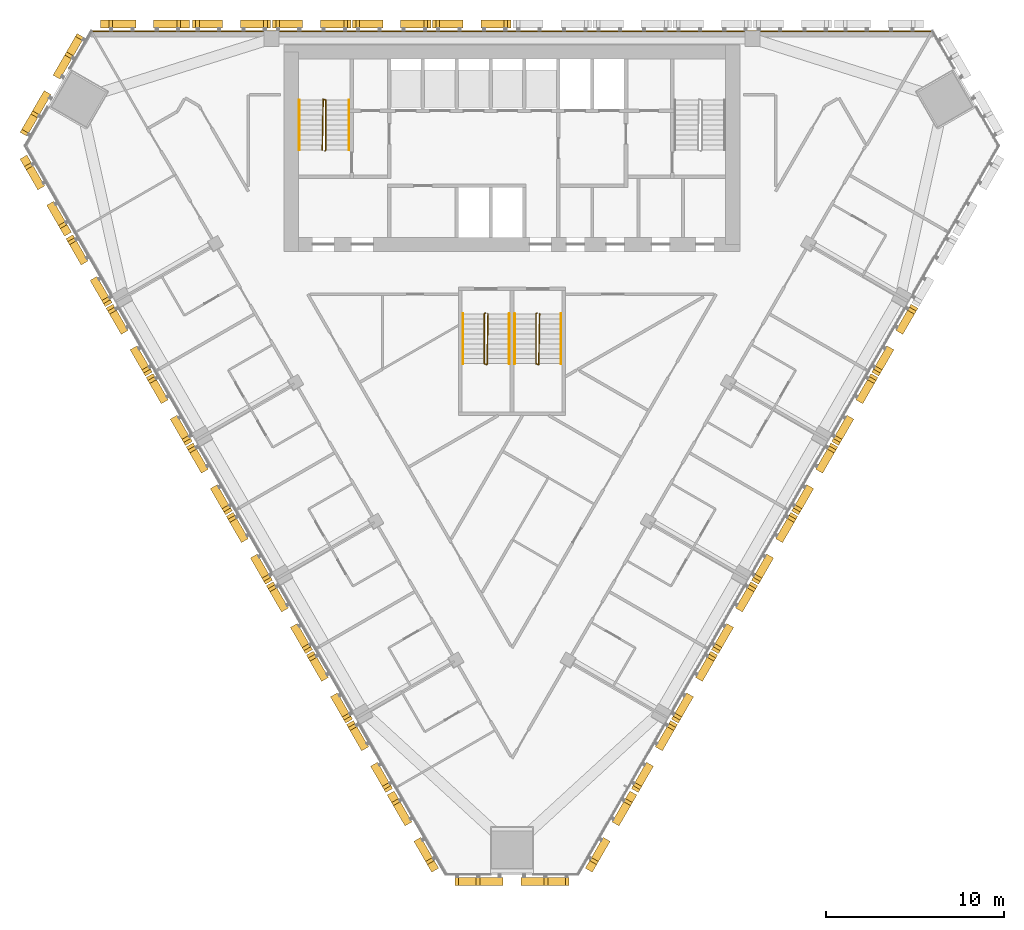
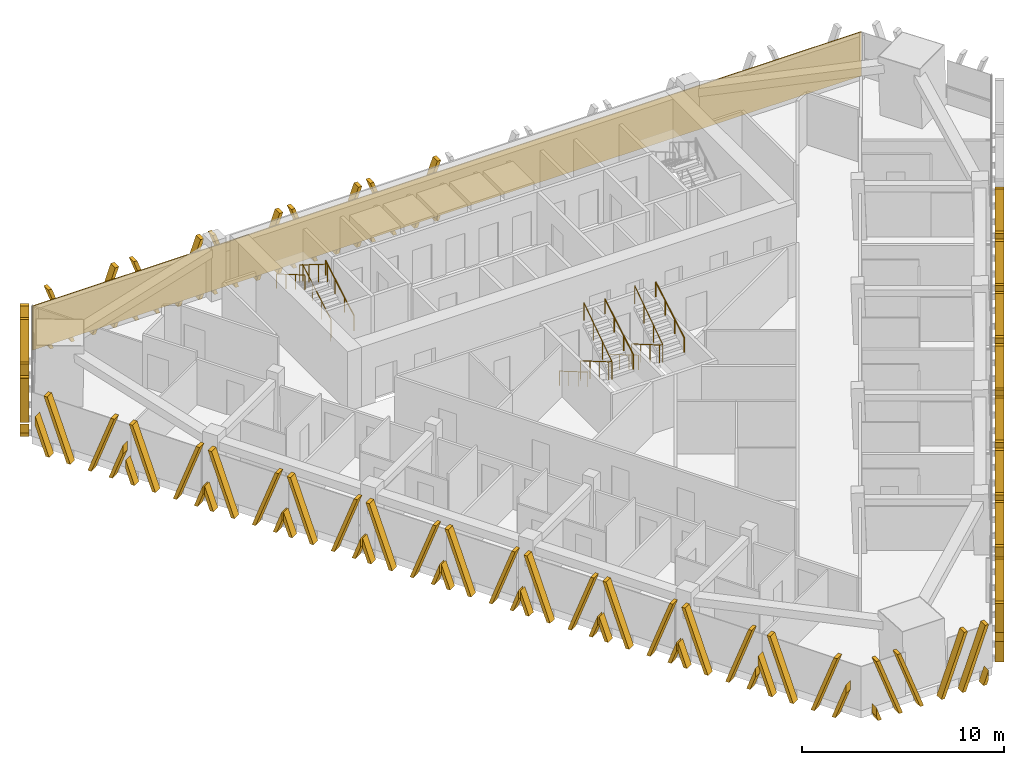
# One storey, part 14 of 16: 25 shading devices, 9 railings, 1 covering.
"""IFC4 building model written with IfcOpenShell, lengths in metres."""

from ifc_helpers import new_model, si_unit, direction, frame, frame_2d, origin, origin_2d, place, context, subcontext, project, spatial, polyline, rectangle, circle, outline, extrude, source, transform, mapped, material, layer, layer_set, type_object, element, save


model = new_model("IFC4")

# Units and contexts
model_context = context("Model", 3, precision=1e-05, world=origin(), true_north=direction((0.0, 1.0)))
body_context = subcontext(model_context, "Body", "Model", "MODEL_VIEW")
ifc_project = project(units=[si_unit("LENGTHUNIT", "METRE"), si_unit("AREAUNIT", "SQUARE_METRE"), si_unit("VOLUMEUNIT", "CUBIC_METRE"), si_unit("PLANEANGLEUNIT", "RADIAN"), si_unit("MASSUNIT", "GRAM", prefix="KILO")], contexts=[model_context])

# Site, building, storey
site_placement = place(None, origin())
site = spatial("IfcSite", under=ifc_project, at=site_placement, CompositionType="ELEMENT")
building_placement = place(site_placement, origin())
building = spatial("IfcBuilding", under=site, at=building_placement, Name="Altiplano Prism Tower", CompositionType="ELEMENT")
storey_placement = place(building_placement, frame((0.0, 0.0, 145.800048828125)))
storey = spatial("IfcBuildingStorey", under=building, at=storey_placement, Name="L37", CompositionType="ELEMENT", Elevation=145.800048828125)

# Railings
ifc_material_1 = material(Name="Steel S355", Category="steel")
railing_type_1 = type_object("IfcRailingType", Name="Stair guard 1100", PredefinedType="GUARDRAIL", material=ifc_material_1)
railing_1_placement = place(storey_placement, frame((74.5, 98.25, 0.0)))
element("IfcRailing", 1, at=railing_1_placement, inside=storey, type_object=railing_type_1, Name="L37 ST1 stair guard 1", PredefinedType="GUARDRAIL", context=body_context, shape_type="SweptSolid", body=[
    extrude(circle(Radius=0.02392578125, at=origin_2d()), frame((0.0, 0.0, 1.076171875), z_axis=(0.280808744504, 0.280808744504, 0.917765164963), x_axis=(-0.707106781187, 0.707106781187, 0.0)), (0.0, 0.0, 1.0), 0.17822265625),
    extrude(circle(Radius=0.02392578125, at=origin_2d()), frame((0.050048828125, 0.050048828125, 1.23974609375), z_axis=(0.0, 0.863360870873, 0.504586966384), x_axis=(-1.0, 0.0, 0.0)), (0.0, 0.0, 1.0), 3.2431640625),
    extrude(circle(Radius=0.02392578125, at=origin_2d()), frame((0.050048828125, 2.85009765625, 2.8759765625), z_axis=(-0.949145278916, 0.314838433982, 0.0), x_axis=(-0.314838433982, -0.949145278916, 0.0)), (0.0, 0.0, 1.0), 0.158203125),
    extrude(circle(Radius=0.02392578125, at=origin_2d()), frame((-0.10009765625, 2.89990234375, 2.8759765625), z_axis=(-0.014774583964, -0.845410385345, 0.533912906773), x_axis=(0.999847325713, -0.01747355902, 0.0)), (0.0, 0.0, 1.0), 3.370849609375),
    extrude(circle(Radius=0.02099609375, at=origin_2d()), origin(), (0.0, 0.0, 1.0), 1.052001953125),
    extrude(circle(Radius=0.02099609375, at=origin_2d()), frame((0.050048828125, 0.050048828125, 0.16357421875)), (0.0, 0.0, 1.0), 1.052001953125),
    extrude(circle(Radius=0.02099609375, at=origin_2d()), frame((0.050048828125, 0.9833984375, 0.708984375)), (0.0, 0.0, 1.0), 1.052001953125),
    extrude(circle(Radius=0.02099609375, at=origin_2d()), frame((0.050048828125, 1.916748046875, 1.254638671875)), (0.0, 0.0, 1.0), 1.052001953125),
    extrude(circle(Radius=0.02099609375, at=origin_2d()), frame((0.050048828125, 2.85009765625, 1.800048828125)), (0.0, 0.0, 1.0), 1.052001953125),
    extrude(circle(Radius=0.02099609375, at=origin_2d()), frame((-0.10009765625, 2.89990234375, 1.800048828125)), (0.0, 0.0, 1.0), 1.052001953125),
    extrude(circle(Radius=0.02099609375, at=origin_2d()), frame((-0.11669921875, 1.949951171875, 2.39990234375)), (0.0, 0.0, 1.0), 1.052001953125),
    extrude(circle(Radius=0.02099609375, at=origin_2d()), frame((-0.13330078125, 1.0, 3.0)), (0.0, 0.0, 1.0), 1.052001953125),
    extrude(circle(Radius=0.02099609375, at=origin_2d()), frame((-0.14990234375, 0.050048828125, 3.599853515625)), (0.0, 0.0, 1.0), 1.052001953125),
])
railing_2_placement = place(storey_placement, frame((83.5, 89.14990234375, 0.0)))
element("IfcRailing", 2, at=railing_2_placement, inside=storey, type_object=railing_type_1, Name="L37 ST3A stair guard 1", PredefinedType="GUARDRAIL", context=body_context, shape_type="SweptSolid", body=[
    extrude(circle(Radius=0.02392578125, at=origin_2d()), frame((0.0, 0.0, 1.076171875), z_axis=(-0.280916556609, -0.279546231943, 0.91811752648), x_axis=(0.705375805398, -0.708833529934, 0.0)), (0.0, 0.0, 1.0), 0.17822265625),
    extrude(circle(Radius=0.02392578125, at=origin_2d()), frame((-0.050048828125, -0.0498046875, 1.23974609375), z_axis=(0.0, -0.863360870873, 0.504586966384), x_axis=(1.0, 0.0, 0.0)), (0.0, 0.0, 1.0), 3.2431640625),
    extrude(circle(Radius=0.02392578125, at=origin_2d()), frame((-0.050048828125, -2.849853515625, 2.8759765625), z_axis=(0.948683298051, -0.316227766017, 0.0), x_axis=(0.316227766017, 0.948683298051, 0.0)), (0.0, 0.0, 1.0), 0.158203125),
    extrude(circle(Radius=0.02392578125, at=origin_2d()), frame((0.10009765625, -2.89990234375, 2.8759765625), z_axis=(0.014773679385, 0.845431044782, 0.53388021776), x_axis=(-0.999847351862, 0.017472062685, 0.0)), (0.0, 0.0, 1.0), 3.37109375),
    extrude(circle(Radius=0.02099609375, at=origin_2d()), origin(), (0.0, 0.0, 1.0), 1.052001953125),
    extrude(circle(Radius=0.02099609375, at=origin_2d()), frame((-0.050048828125, -0.0498046875, 0.16357421875)), (0.0, 0.0, 1.0), 1.052001953125),
    extrude(circle(Radius=0.02099609375, at=origin_2d()), frame((-0.050048828125, -0.983154296875, 0.708984375)), (0.0, 0.0, 1.0), 1.052001953125),
    extrude(circle(Radius=0.02099609375, at=origin_2d()), frame((-0.050048828125, -1.91650390625, 1.254638671875)), (0.0, 0.0, 1.0), 1.052001953125),
    extrude(circle(Radius=0.02099609375, at=origin_2d()), frame((-0.050048828125, -2.849853515625, 1.800048828125)), (0.0, 0.0, 1.0), 1.052001953125),
    extrude(circle(Radius=0.02099609375, at=origin_2d()), frame((0.10009765625, -2.89990234375, 1.800048828125)), (0.0, 0.0, 1.0), 1.052001953125),
    extrude(circle(Radius=0.02099609375, at=origin_2d()), frame((0.11669921875, -1.949951171875, 2.39990234375)), (0.0, 0.0, 1.0), 1.052001953125),
    extrude(circle(Radius=0.02099609375, at=origin_2d()), frame((0.13330078125, -0.999755859375, 3.0)), (0.0, 0.0, 1.0), 1.052001953125),
    extrude(circle(Radius=0.02099609375, at=origin_2d()), frame((0.14990234375, -0.0498046875, 3.599853515625)), (0.0, 0.0, 1.0), 1.052001953125),
])
railing_3_placement = place(storey_placement, frame((86.39990234375, 89.14990234375, 0.0)))
element("IfcRailing", 3, at=railing_3_placement, inside=storey, type_object=railing_type_1, Name="L37 ST3B stair guard 1", PredefinedType="GUARDRAIL", context=body_context, shape_type="SweptSolid", body=[
    extrude(circle(Radius=0.02392578125, at=origin_2d()), frame((0.0, 0.0, 1.076171875), z_axis=(-0.279653641804, -0.279653641804, 0.918470294159), x_axis=(0.707106781187, -0.707106781187, 0.0)), (0.0, 0.0, 1.0), 0.177978515625),
    extrude(circle(Radius=0.02392578125, at=origin_2d()), frame((-0.0498046875, -0.0498046875, 1.23974609375), z_axis=(0.0, -0.863360870873, 0.504586966384), x_axis=(1.0, 0.0, 0.0)), (0.0, 0.0, 1.0), 3.2431640625),
    extrude(circle(Radius=0.02392578125, at=origin_2d()), frame((-0.0498046875, -2.849853515625, 2.8759765625), z_axis=(0.948528701346, -0.316691178788, 0.0), x_axis=(0.316691178788, 0.948528701346, 0.0)), (0.0, 0.0, 1.0), 0.157958984375),
    extrude(circle(Radius=0.02392578125, at=origin_2d()), frame((0.10009765625, -2.89990234375, 2.8759765625), z_axis=(0.014846083459, 0.845430138032, 0.533879645158), x_axis=(-0.999845851991, 0.017557683712, 0.0)), (0.0, 0.0, 1.0), 3.37109375),
    extrude(circle(Radius=0.02099609375, at=origin_2d()), origin(), (0.0, 0.0, 1.0), 1.052001953125),
    extrude(circle(Radius=0.02099609375, at=origin_2d()), frame((-0.0498046875, -0.0498046875, 0.16357421875)), (0.0, 0.0, 1.0), 1.052001953125),
    extrude(circle(Radius=0.02099609375, at=origin_2d()), frame((-0.0498046875, -0.983154296875, 0.708984375)), (0.0, 0.0, 1.0), 1.052001953125),
    extrude(circle(Radius=0.02099609375, at=origin_2d()), frame((-0.0498046875, -1.91650390625, 1.254638671875)), (0.0, 0.0, 1.0), 1.052001953125),
    extrude(circle(Radius=0.02099609375, at=origin_2d()), frame((-0.0498046875, -2.849853515625, 1.800048828125)), (0.0, 0.0, 1.0), 1.052001953125),
    extrude(circle(Radius=0.02099609375, at=origin_2d()), frame((0.10009765625, -2.89990234375, 1.800048828125)), (0.0, 0.0, 1.0), 1.052001953125),
    extrude(circle(Radius=0.02099609375, at=origin_2d()), frame((0.11669921875, -1.949951171875, 2.39990234375)), (0.0, 0.0, 1.0), 1.052001953125),
    extrude(circle(Radius=0.02099609375, at=origin_2d()), frame((0.133544921875, -0.999755859375, 3.0)), (0.0, 0.0, 1.0), 1.052001953125),
    extrude(circle(Radius=0.02099609375, at=origin_2d()), frame((0.150146484375, -0.0498046875, 3.599853515625)), (0.0, 0.0, 1.0), 1.052001953125),
])
railing_type_2 = type_object("IfcRailingType", Name="Stair handrail 900", PredefinedType="HANDRAIL", material=ifc_material_1)
railing_4_placement = place(storey_placement, frame((75.85009765625, 98.300048828125, 0.16357421875)))
element("IfcRailing", 4, at=railing_4_placement, inside=storey, type_object=railing_type_2, Name="L37 ST1 stair handrail 1", PredefinedType="HANDRAIL", context=body_context, shape_type="SweptSolid", body=[
    extrude(circle(Radius=0.02392578125, at=origin_2d()), frame((0.0, 0.0, 0.8759765625), z_axis=(0.0, 0.863360870873, 0.504586966384), x_axis=(-1.0, 0.0, 0.0)), (0.0, 0.0, 1.0), 3.2431640625),
    extrude(circle(Radius=0.02099609375, at=origin_2d()), origin(), (0.0, 0.0, 1.0), 0.851806640625),
    extrude(circle(Radius=0.02099609375, at=origin_2d()), frame((0.0, 0.933349609375, 0.54541015625)), (0.0, 0.0, 1.0), 0.851806640625),
    extrude(circle(Radius=0.02099609375, at=origin_2d()), frame((0.0, 1.86669921875, 1.091064453125)), (0.0, 0.0, 1.0), 0.851806640625),
    extrude(circle(Radius=0.02099609375, at=origin_2d()), frame((0.0, 2.800048828125, 1.636474609375)), (0.0, 0.0, 1.0), 0.851806640625),
])
railing_5_placement = place(storey_placement, frame((73.050048828125, 101.10009765625, 1.963623046875)))
element("IfcRailing", 5, at=railing_5_placement, inside=storey, type_object=railing_type_2, Name="L37 ST1 stair handrail 2", PredefinedType="HANDRAIL", context=body_context, shape_type="SweptSolid", body=[
    extrude(circle(Radius=0.02392578125, at=origin_2d()), frame((0.0, 0.0, 0.8759765625), z_axis=(0.0, -0.863393664356, 0.504530851732), x_axis=(1.0, 0.0, 0.0)), (0.0, 0.0, 1.0), 3.2431640625),
    extrude(circle(Radius=0.02099609375, at=origin_2d()), origin(), (0.0, 0.0, 1.0), 0.851806640625),
    extrude(circle(Radius=0.02099609375, at=origin_2d()), frame((0.0, -0.933349609375, 0.54541015625)), (0.0, 0.0, 1.0), 0.851806640625),
    extrude(circle(Radius=0.02099609375, at=origin_2d()), frame((0.0, -1.86669921875, 1.0908203125)), (0.0, 0.0, 1.0), 0.851806640625),
    extrude(circle(Radius=0.02099609375, at=origin_2d()), frame((0.0, -2.800048828125, 1.63623046875)), (0.0, 0.0, 1.0), 0.851806640625),
])
railing_6_placement = place(storey_placement, frame((82.25, 89.10009765625, 0.16357421875)))
element("IfcRailing", 6, at=railing_6_placement, inside=storey, type_object=railing_type_2, Name="L37 ST3A stair handrail 1", PredefinedType="HANDRAIL", context=body_context, shape_type="SweptSolid", body=[
    extrude(circle(Radius=0.02392578125, at=origin_2d()), frame((0.0, 0.0, 0.8759765625), z_axis=(0.0, -0.863360870873, 0.504586966384), x_axis=(1.0, 0.0, 0.0)), (0.0, 0.0, 1.0), 3.2431640625),
    extrude(circle(Radius=0.02099609375, at=origin_2d()), origin(), (0.0, 0.0, 1.0), 0.851806640625),
    extrude(circle(Radius=0.02099609375, at=origin_2d()), frame((0.0, -0.933349609375, 0.54541015625)), (0.0, 0.0, 1.0), 0.851806640625),
    extrude(circle(Radius=0.02099609375, at=origin_2d()), frame((0.0, -1.86669921875, 1.091064453125)), (0.0, 0.0, 1.0), 0.851806640625),
    extrude(circle(Radius=0.02099609375, at=origin_2d()), frame((0.0, -2.800048828125, 1.636474609375)), (0.0, 0.0, 1.0), 0.851806640625),
])
railing_7_placement = place(storey_placement, frame((84.85009765625, 86.300048828125, 1.963623046875)))
element("IfcRailing", 7, at=railing_7_placement, inside=storey, type_object=railing_type_2, Name="L37 ST3A stair handrail 2", PredefinedType="HANDRAIL", context=body_context, shape_type="SweptSolid", body=[
    extrude(circle(Radius=0.02392578125, at=origin_2d()), frame((0.0, 0.0, 0.8759765625), z_axis=(0.0, 0.863393664356, 0.504530851732), x_axis=(-1.0, 0.0, 0.0)), (0.0, 0.0, 1.0), 3.2431640625),
    extrude(circle(Radius=0.02099609375, at=origin_2d()), origin(), (0.0, 0.0, 1.0), 0.851806640625),
    extrude(circle(Radius=0.02099609375, at=origin_2d()), frame((0.0, 0.933349609375, 0.54541015625)), (0.0, 0.0, 1.0), 0.851806640625),
    extrude(circle(Radius=0.02099609375, at=origin_2d()), frame((0.0, 1.86669921875, 1.0908203125)), (0.0, 0.0, 1.0), 0.851806640625),
    extrude(circle(Radius=0.02099609375, at=origin_2d()), frame((0.0, 2.800048828125, 1.63623046875)), (0.0, 0.0, 1.0), 0.851806640625),
])
railing_8_placement = place(storey_placement, frame((85.14990234375, 89.10009765625, 0.16357421875)))
element("IfcRailing", 8, at=railing_8_placement, inside=storey, type_object=railing_type_2, Name="L37 ST3B stair handrail 1", PredefinedType="HANDRAIL", context=body_context, shape_type="SweptSolid", body=[
    extrude(circle(Radius=0.02392578125, at=origin_2d()), frame((0.0, 0.0, 0.8759765625), z_axis=(0.0, -0.863360870873, 0.504586966384), x_axis=(1.0, 0.0, 0.0)), (0.0, 0.0, 1.0), 3.2431640625),
    extrude(circle(Radius=0.02099609375, at=origin_2d()), origin(), (0.0, 0.0, 1.0), 0.851806640625),
    extrude(circle(Radius=0.02099609375, at=origin_2d()), frame((0.0, -0.933349609375, 0.54541015625)), (0.0, 0.0, 1.0), 0.851806640625),
    extrude(circle(Radius=0.02099609375, at=origin_2d()), frame((0.0, -1.86669921875, 1.091064453125)), (0.0, 0.0, 1.0), 0.851806640625),
    extrude(circle(Radius=0.02099609375, at=origin_2d()), frame((0.0, -2.800048828125, 1.636474609375)), (0.0, 0.0, 1.0), 0.851806640625),
])
railing_9_placement = place(storey_placement, frame((87.75, 86.300048828125, 1.963623046875)))
element("IfcRailing", 9, at=railing_9_placement, inside=storey, type_object=railing_type_2, Name="L37 ST3B stair handrail 2", PredefinedType="HANDRAIL", context=body_context, shape_type="SweptSolid", body=[
    extrude(circle(Radius=0.02392578125, at=origin_2d()), frame((0.0, 0.0, 0.8759765625), z_axis=(0.0, 0.863393664356, 0.504530851732), x_axis=(-1.0, 0.0, 0.0)), (0.0, 0.0, 1.0), 3.2431640625),
    extrude(circle(Radius=0.02099609375, at=origin_2d()), origin(), (0.0, 0.0, 1.0), 0.851806640625),
    extrude(circle(Radius=0.02099609375, at=origin_2d()), frame((0.0, 0.933349609375, 0.54541015625)), (0.0, 0.0, 1.0), 0.851806640625),
    extrude(circle(Radius=0.02099609375, at=origin_2d()), frame((0.0, 1.86669921875, 1.0908203125)), (0.0, 0.0, 1.0), 0.851806640625),
    extrude(circle(Radius=0.02099609375, at=origin_2d()), frame((0.0, 2.800048828125, 1.63623046875)), (0.0, 0.0, 1.0), 0.851806640625),
])

# Covering
ifc_material_2 = material(Name="Warm limestone cast stone", Category="masonry")
ifc_layer = layer(ifc_material_2, 0.06005859375)
ifc_layer_set = layer_set([ifc_layer], Name="Warm limestone cast stone")
covering_type = type_object("IfcCoveringType", Name="Stone cladding 60", PredefinedType="CLADDING", material=ifc_layer_set)
covering_placement = place(storey_placement, frame((61.3662109375, 104.969970703125, 0.0), z_axis=(0.0, 0.0, 1.0), x_axis=(1.0, 0.0, 0.0)))
element("IfcCovering", 10, at=covering_placement, inside=storey, type_object=covering_type, Name="Stone cladding north face L37", PredefinedType="CLADDING", context=body_context, shape_type="SweptSolid", body=[
    extrude(rectangle(XDim=47.267578125, YDim=0.06005859375, at=frame_2d((23.6337890625, 0.0))), origin(), (0.0, 0.0, 1.0), 2.64990234375),
])

# Shading devices
shading_device_type_1 = type_object("IfcShadingDeviceType", Name="Stone fin panel, standard unit", PredefinedType="USERDEFINED", material=ifc_material_2)
shared_shape_1 = source(origin(), body_context, "Body", "SweptSolid", [
    extrude(outline(polyline([(-2.199951171875, 1.373779296875), (-2.199951171875, 0.82421875), (-1.89990234375, 0.0), (-1.699951171875, 0.0), (-2.199951171875, 1.373779296875)])), frame((0.0, -0.14990234375, 0.0), z_axis=(0.0, -1.0, 0.0), x_axis=(1.0, 0.0, 0.0)), (0.0, 0.0, 1.0), 0.4501953125),
    extrude(outline(polyline([(-2.01025390625, 3.60009765625), (-0.699951171875, 0.0), (-0.5, 0.0), (-1.810302734375, 3.60009765625), (-2.01025390625, 3.60009765625)])), frame((0.0, -0.14990234375, 0.0), z_axis=(0.0, -1.0, 0.0), x_axis=(1.0, 0.0, 0.0)), (0.0, 0.0, 1.0), 0.4501953125),
    extrude(outline(polyline([(1.810302734375, 3.60009765625), (0.5, 0.0), (0.699951171875, 0.0), (2.01025390625, 3.60009765625), (1.810302734375, 3.60009765625)])), frame((0.0, -0.14990234375, 0.0), z_axis=(0.0, -1.0, 0.0), x_axis=(1.0, 0.0, 0.0)), (0.0, 0.0, 1.0), 0.4501953125),
    extrude(outline(polyline([(2.199951171875, 0.82421875), (2.199951171875, 1.373779296875), (1.699951171875, 0.0), (1.89990234375, 0.0), (2.199951171875, 0.82421875)])), frame((0.0, -0.14990234375, 0.0), z_axis=(0.0, -1.0, 0.0), x_axis=(1.0, 0.0, 0.0)), (0.0, 0.0, 1.0), 0.4501953125),
])
shading_device_1_placement = place(storey_placement, origin())
element("IfcShadingDevice", 11, at=shading_device_1_placement, inside=storey, type_object=shading_device_type_1, Name="Fin L37 north face 6", ObjectType="FIN", PredefinedType="USERDEFINED", context=body_context, shape_type="MappedRepresentation", body=[
    mapped(shared_shape_1, transform((82.75, 105.0, -0.449951171875), x_axis=(-1.0, 0.0, 0.0), y_axis=(0.0, -1.0, 0.0), z_axis=(0.0, 0.0, 1.0))),
])
shading_device_2_placement = place(storey_placement, origin())
element("IfcShadingDevice", 12, at=shading_device_2_placement, inside=storey, type_object=shading_device_type_1, Name="Fin L37 north face 7", ObjectType="FIN", PredefinedType="USERDEFINED", context=body_context, shape_type="MappedRepresentation", body=[
    mapped(shared_shape_1, transform((78.25, 105.0, -0.449951171875), x_axis=(-1.0, 0.0, 0.0), y_axis=(0.0, -1.0, 0.0), z_axis=(0.0, 0.0, 1.0))),
])
shading_device_3_placement = place(storey_placement, origin())
element("IfcShadingDevice", 13, at=shading_device_3_placement, inside=storey, type_object=shading_device_type_1, Name="Fin L37 north face 8", ObjectType="FIN", PredefinedType="USERDEFINED", context=body_context, shape_type="MappedRepresentation", body=[
    mapped(shared_shape_1, transform((73.75, 105.0, -0.449951171875), x_axis=(-1.0, 0.0, 0.0), y_axis=(0.0, -1.0, 0.0), z_axis=(0.0, 0.0, 1.0))),
])
shading_device_4_placement = place(storey_placement, origin())
element("IfcShadingDevice", 14, at=shading_device_4_placement, inside=storey, type_object=shading_device_type_1, Name="Fin L37 north face 9", ObjectType="FIN", PredefinedType="USERDEFINED", context=body_context, shape_type="MappedRepresentation", body=[
    mapped(shared_shape_1, transform((69.25, 105.0, -0.449951171875), x_axis=(-1.0, 0.0, 0.0), y_axis=(0.0, -1.0, 0.0), z_axis=(0.0, 0.0, 1.0))),
])
shading_device_5_placement = place(storey_placement, origin())
element("IfcShadingDevice", 15, at=shading_device_5_placement, inside=storey, type_object=shading_device_type_1, Name="Fin L37 south-west face 2", ObjectType="FIN", PredefinedType="USERDEFINED", context=body_context, shape_type="MappedRepresentation", body=[
    mapped(shared_shape_1, transform((61.578125, 91.7119140625, -0.449951171875), x_axis=(0.500000003023, -0.866025402039, 0.0), y_axis=(0.866025402039, 0.500000003023, 0.0), z_axis=(0.0, 0.0, 1.0))),
])
shading_device_6_placement = place(storey_placement, origin())
element("IfcShadingDevice", 16, at=shading_device_6_placement, inside=storey, type_object=shading_device_type_1, Name="Fin L37 south-west face 3", ObjectType="FIN", PredefinedType="USERDEFINED", context=body_context, shape_type="MappedRepresentation", body=[
    mapped(shared_shape_1, transform((63.828125, 87.814697265625, -0.449951171875), x_axis=(0.500000003023, -0.866025402039, 0.0), y_axis=(0.866025402039, 0.500000003023, 0.0), z_axis=(0.0, 0.0, 1.0))),
])
shading_device_7_placement = place(storey_placement, origin())
element("IfcShadingDevice", 17, at=shading_device_7_placement, inside=storey, type_object=shading_device_type_1, Name="Fin L37 south-west face 4", ObjectType="FIN", PredefinedType="USERDEFINED", context=body_context, shape_type="MappedRepresentation", body=[
    mapped(shared_shape_1, transform((66.078125, 83.917724609375, -0.449951171875), x_axis=(0.500000003023, -0.866025402039, 0.0), y_axis=(0.866025402039, 0.500000003023, 0.0), z_axis=(0.0, 0.0, 1.0))),
])
shading_device_8_placement = place(storey_placement, origin())
element("IfcShadingDevice", 18, at=shading_device_8_placement, inside=storey, type_object=shading_device_type_1, Name="Fin L37 south-west face 5", ObjectType="FIN", PredefinedType="USERDEFINED", context=body_context, shape_type="MappedRepresentation", body=[
    mapped(shared_shape_1, transform((68.328125, 80.0205078125, -0.449951171875), x_axis=(0.500000003023, -0.866025402039, 0.0), y_axis=(0.866025402039, 0.500000003023, 0.0), z_axis=(0.0, 0.0, 1.0))),
])
shading_device_9_placement = place(storey_placement, origin())
element("IfcShadingDevice", 19, at=shading_device_9_placement, inside=storey, type_object=shading_device_type_1, Name="Fin L37 south-west face 6", ObjectType="FIN", PredefinedType="USERDEFINED", context=body_context, shape_type="MappedRepresentation", body=[
    mapped(shared_shape_1, transform((70.578125, 76.12353515625, -0.449951171875), x_axis=(0.500000003023, -0.866025402039, 0.0), y_axis=(0.866025402039, 0.500000003023, 0.0), z_axis=(0.0, 0.0, 1.0))),
])
shading_device_10_placement = place(storey_placement, origin())
element("IfcShadingDevice", 20, at=shading_device_10_placement, inside=storey, type_object=shading_device_type_1, Name="Fin L37 south-west face 7", ObjectType="FIN", PredefinedType="USERDEFINED", context=body_context, shape_type="MappedRepresentation", body=[
    mapped(shared_shape_1, transform((72.828125, 72.226318359375, -0.449951171875), x_axis=(0.500000003023, -0.866025402039, 0.0), y_axis=(0.866025402039, 0.500000003023, 0.0), z_axis=(0.0, 0.0, 1.0))),
])
shading_device_11_placement = place(storey_placement, origin())
element("IfcShadingDevice", 21, at=shading_device_11_placement, inside=storey, type_object=shading_device_type_1, Name="Fin L37 south-west face 8", ObjectType="FIN", PredefinedType="USERDEFINED", context=body_context, shape_type="MappedRepresentation", body=[
    mapped(shared_shape_1, transform((75.078125, 68.329345703125, -0.449951171875), x_axis=(0.500000003023, -0.866025402039, 0.0), y_axis=(0.866025402039, 0.500000003023, 0.0), z_axis=(0.0, 0.0, 1.0))),
])
shading_device_12_placement = place(storey_placement, origin())
element("IfcShadingDevice", 22, at=shading_device_12_placement, inside=storey, type_object=shading_device_type_1, Name="Fin L37 south-west face 9", ObjectType="FIN", PredefinedType="USERDEFINED", context=body_context, shape_type="MappedRepresentation", body=[
    mapped(shared_shape_1, transform((77.328125, 64.43212890625, -0.449951171875), x_axis=(0.500000003023, -0.866025402039, 0.0), y_axis=(0.866025402039, 0.500000003023, 0.0), z_axis=(0.0, 0.0, 1.0))),
])
shading_device_13_placement = place(storey_placement, origin())
element("IfcShadingDevice", 23, at=shading_device_13_placement, inside=storey, type_object=shading_device_type_1, Name="Fin L37 south-east face 2", ObjectType="FIN", PredefinedType="USERDEFINED", context=body_context, shape_type="MappedRepresentation", body=[
    mapped(shared_shape_1, transform((92.671875, 64.43212890625, -0.449951171875), x_axis=(0.500000003023, 0.866025402039, 0.0), y_axis=(-0.866025402039, 0.500000003023, 0.0), z_axis=(0.0, 0.0, 1.0))),
])
shading_device_14_placement = place(storey_placement, origin())
element("IfcShadingDevice", 24, at=shading_device_14_placement, inside=storey, type_object=shading_device_type_1, Name="Fin L37 south-east face 3", ObjectType="FIN", PredefinedType="USERDEFINED", context=body_context, shape_type="MappedRepresentation", body=[
    mapped(shared_shape_1, transform((94.921875, 68.329345703125, -0.449951171875), x_axis=(0.500000003023, 0.866025402039, 0.0), y_axis=(-0.866025402039, 0.500000003023, 0.0), z_axis=(0.0, 0.0, 1.0))),
])
shading_device_15_placement = place(storey_placement, origin())
element("IfcShadingDevice", 25, at=shading_device_15_placement, inside=storey, type_object=shading_device_type_1, Name="Fin L37 south-east face 4", ObjectType="FIN", PredefinedType="USERDEFINED", context=body_context, shape_type="MappedRepresentation", body=[
    mapped(shared_shape_1, transform((97.171875, 72.226318359375, -0.449951171875), x_axis=(0.500000003023, 0.866025402039, 0.0), y_axis=(-0.866025402039, 0.500000003023, 0.0), z_axis=(0.0, 0.0, 1.0))),
])
shading_device_16_placement = place(storey_placement, origin())
element("IfcShadingDevice", 26, at=shading_device_16_placement, inside=storey, type_object=shading_device_type_1, Name="Fin L37 south-east face 5", ObjectType="FIN", PredefinedType="USERDEFINED", context=body_context, shape_type="MappedRepresentation", body=[
    mapped(shared_shape_1, transform((99.421875, 76.12353515625, -0.449951171875), x_axis=(0.500000003023, 0.866025402039, 0.0), y_axis=(-0.866025402039, 0.500000003023, 0.0), z_axis=(0.0, 0.0, 1.0))),
])
shading_device_17_placement = place(storey_placement, origin())
element("IfcShadingDevice", 27, at=shading_device_17_placement, inside=storey, type_object=shading_device_type_1, Name="Fin L37 south-east face 6", ObjectType="FIN", PredefinedType="USERDEFINED", context=body_context, shape_type="MappedRepresentation", body=[
    mapped(shared_shape_1, transform((101.671875, 80.0205078125, -0.449951171875), x_axis=(0.500000003023, 0.866025402039, 0.0), y_axis=(-0.866025402039, 0.500000003023, 0.0), z_axis=(0.0, 0.0, 1.0))),
])
shading_device_18_placement = place(storey_placement, origin())
element("IfcShadingDevice", 28, at=shading_device_18_placement, inside=storey, type_object=shading_device_type_1, Name="Fin L37 south-east face 7", ObjectType="FIN", PredefinedType="USERDEFINED", context=body_context, shape_type="MappedRepresentation", body=[
    mapped(shared_shape_1, transform((103.921875, 83.917724609375, -0.449951171875), x_axis=(0.500000003023, 0.866025402039, 0.0), y_axis=(-0.866025402039, 0.500000003023, 0.0), z_axis=(0.0, 0.0, 1.0))),
])
shading_device_19_placement = place(storey_placement, origin())
element("IfcShadingDevice", 29, at=shading_device_19_placement, inside=storey, type_object=shading_device_type_1, Name="Fin L37 south-east face 8", ObjectType="FIN", PredefinedType="USERDEFINED", context=body_context, shape_type="MappedRepresentation", body=[
    mapped(shared_shape_1, transform((106.171875, 87.814697265625, -0.449951171875), x_axis=(0.500000003023, 0.866025402039, 0.0), y_axis=(-0.866025402039, 0.500000003023, 0.0), z_axis=(0.0, 0.0, 1.0))),
])
shading_device_type_2 = type_object("IfcShadingDeviceType", Name="Stone fin panel, wide closing bay", PredefinedType="USERDEFINED", material=ifc_material_2)
shared_shape_2 = source(origin(), body_context, "Body", "SweptSolid", [
    extrude(outline(polyline([(-2.5, 2.197998046875), (-2.5, 1.6484375), (-1.89990234375, 0.0), (-1.699951171875, 0.0), (-2.5, 2.197998046875)])), frame((0.0, -0.14990234375, 0.0), z_axis=(0.0, -1.0, 0.0), x_axis=(1.0, 0.0, 0.0)), (0.0, 0.0, 1.0), 0.4501953125),
    extrude(outline(polyline([(-2.01025390625, 3.60009765625), (-0.699951171875, 0.0), (-0.5, 0.0), (-1.810302734375, 3.60009765625), (-2.01025390625, 3.60009765625)])), frame((0.0, -0.14990234375, 0.0), z_axis=(0.0, -1.0, 0.0), x_axis=(1.0, 0.0, 0.0)), (0.0, 0.0, 1.0), 0.4501953125),
    extrude(outline(polyline([(1.810302734375, 3.60009765625), (0.5, 0.0), (0.699951171875, 0.0), (2.01025390625, 3.60009765625), (1.810302734375, 3.60009765625)])), frame((0.0, -0.14990234375, 0.0), z_axis=(0.0, -1.0, 0.0), x_axis=(1.0, 0.0, 0.0)), (0.0, 0.0, 1.0), 0.4501953125),
    extrude(outline(polyline([(2.5, 1.6484375), (2.5, 2.197998046875), (1.699951171875, 0.0), (1.89990234375, 0.0), (2.5, 1.6484375)])), frame((0.0, -0.14990234375, 0.0), z_axis=(0.0, -1.0, 0.0), x_axis=(1.0, 0.0, 0.0)), (0.0, 0.0, 1.0), 0.4501953125),
])
shading_device_20_placement = place(storey_placement, origin())
element("IfcShadingDevice", 30, at=shading_device_20_placement, inside=storey, type_object=shading_device_type_2, Name="Fin L37 north face 10", ObjectType="FIN", PredefinedType="USERDEFINED", context=body_context, shape_type="MappedRepresentation", body=[
    mapped(shared_shape_2, transform((64.383056640625, 105.0, -0.449951171875), x_axis=(-1.0, 0.0, 0.0), y_axis=(0.0, -1.0, 0.0), z_axis=(0.0, 0.0, 1.0))),
])
shading_device_21_placement = place(storey_placement, origin())
element("IfcShadingDevice", 31, at=shading_device_21_placement, inside=storey, type_object=shading_device_type_2, Name="Fin L37 south-west face 1", ObjectType="FIN", PredefinedType="USERDEFINED", context=body_context, shape_type="MappedRepresentation", body=[
    mapped(shared_shape_2, transform((59.144775390625, 95.9267578125, -0.449951171875), x_axis=(0.500000003023, -0.866025402039, 0.0), y_axis=(0.866025402039, 0.500000003023, 0.0), z_axis=(0.0, 0.0, 1.0))),
])
shading_device_22_placement = place(storey_placement, origin())
element("IfcShadingDevice", 32, at=shading_device_22_placement, inside=storey, type_object=shading_device_type_2, Name="Fin L37 south-west face 10", ObjectType="FIN", PredefinedType="USERDEFINED", context=body_context, shape_type="MappedRepresentation", body=[
    mapped(shared_shape_2, transform((79.761474609375, 60.21728515625, -0.449951171875), x_axis=(0.500000003023, -0.866025402039, 0.0), y_axis=(0.866025402039, 0.500000003023, 0.0), z_axis=(0.0, 0.0, 1.0))),
])
shading_device_23_placement = place(storey_placement, origin())
element("IfcShadingDevice", 33, at=shading_device_23_placement, inside=storey, type_object=shading_device_type_2, Name="Fin L37 south-east face 1", ObjectType="FIN", PredefinedType="USERDEFINED", context=body_context, shape_type="MappedRepresentation", body=[
    mapped(shared_shape_2, transform((90.238525390625, 60.21728515625, -0.449951171875), x_axis=(0.500000003023, 0.866025402039, 0.0), y_axis=(-0.866025402039, 0.500000003023, 0.0), z_axis=(0.0, 0.0, 1.0))),
])
shading_device_type_3 = type_object("IfcShadingDeviceType", Name="Stone fin panel, chamfer unit", PredefinedType="USERDEFINED", material=ifc_material_2)
shared_shape_3 = source(origin(), body_context, "Body", "SweptSolid", [
    extrude(outline(polyline([(-3.199951171875, 3.60009765625), (-3.199951171875, 3.57177734375), (-1.89990234375, 0.0), (-1.699951171875, 0.0), (-3.01025390625, 3.60009765625), (-3.199951171875, 3.60009765625)])), frame((0.0, -0.14990234375, 0.0), z_axis=(0.0, -1.0, 0.0), x_axis=(1.0, 0.0, 0.0)), (0.0, 0.0, 1.0), 0.4501953125),
    extrude(outline(polyline([(-3.199951171875, 0.82421875), (-3.199951171875, 0.274658203125), (-3.10009765625, 0.0), (-2.89990234375, 0.0), (-3.199951171875, 0.82421875)])), frame((0.0, -0.14990234375, 0.0), z_axis=(0.0, -1.0, 0.0), x_axis=(1.0, 0.0, 0.0)), (0.0, 0.0, 1.0), 0.4501953125),
    extrude(outline(polyline([(-2.01025390625, 3.60009765625), (-0.699951171875, 0.0), (-0.5, 0.0), (-1.810302734375, 3.60009765625), (-2.01025390625, 3.60009765625)])), frame((0.0, -0.14990234375, 0.0), z_axis=(0.0, -1.0, 0.0), x_axis=(1.0, 0.0, 0.0)), (0.0, 0.0, 1.0), 0.4501953125),
    extrude(outline(polyline([(1.810302734375, 3.60009765625), (0.5, 0.0), (0.699951171875, 0.0), (2.01025390625, 3.60009765625), (1.810302734375, 3.60009765625)])), frame((0.0, -0.14990234375, 0.0), z_axis=(0.0, -1.0, 0.0), x_axis=(1.0, 0.0, 0.0)), (0.0, 0.0, 1.0), 0.4501953125),
    extrude(outline(polyline([(3.01025390625, 3.60009765625), (1.699951171875, 0.0), (1.89990234375, 0.0), (3.199951171875, 3.57177734375), (3.199951171875, 3.60009765625), (3.01025390625, 3.60009765625)])), frame((0.0, -0.14990234375, 0.0), z_axis=(0.0, -1.0, 0.0), x_axis=(1.0, 0.0, 0.0)), (0.0, 0.0, 1.0), 0.4501953125),
    extrude(outline(polyline([(3.199951171875, 0.274658203125), (3.199951171875, 0.82421875), (2.89990234375, 0.0), (3.10009765625, 0.0), (3.199951171875, 0.274658203125)])), frame((0.0, -0.14990234375, 0.0), z_axis=(0.0, -1.0, 0.0), x_axis=(1.0, 0.0, 0.0)), (0.0, 0.0, 1.0), 0.4501953125),
])
shading_device_24_placement = place(storey_placement, origin())
element("IfcShadingDevice", 34, at=shading_device_24_placement, inside=storey, type_object=shading_device_type_3, Name="Fin L37 north-west chamfer 1", ObjectType="FIN", PredefinedType="USERDEFINED", context=body_context, shape_type="MappedRepresentation", body=[
    mapped(shared_shape_3, transform((59.501220703125, 101.769775390625, -0.449951171875), x_axis=(-0.500000006889, -0.866025399807, 0.0), y_axis=(0.866025399807, -0.500000006889, 0.0), z_axis=(0.0, 0.0, 1.0))),
])
shading_device_25_placement = place(storey_placement, origin())
element("IfcShadingDevice", 35, at=shading_device_25_placement, inside=storey, type_object=shading_device_type_3, Name="Fin L37 south chamfer 1", ObjectType="FIN", PredefinedType="USERDEFINED", context=body_context, shape_type="MappedRepresentation", body=[
    mapped(shared_shape_3, transform((85.0, 57.6044921875, -0.449951171875), x_axis=(1.0, 0.0, 0.0), y_axis=(0.0, 1.0, 0.0), z_axis=(0.0, 0.0, 1.0))),
])

save(model, "model.ifc")
